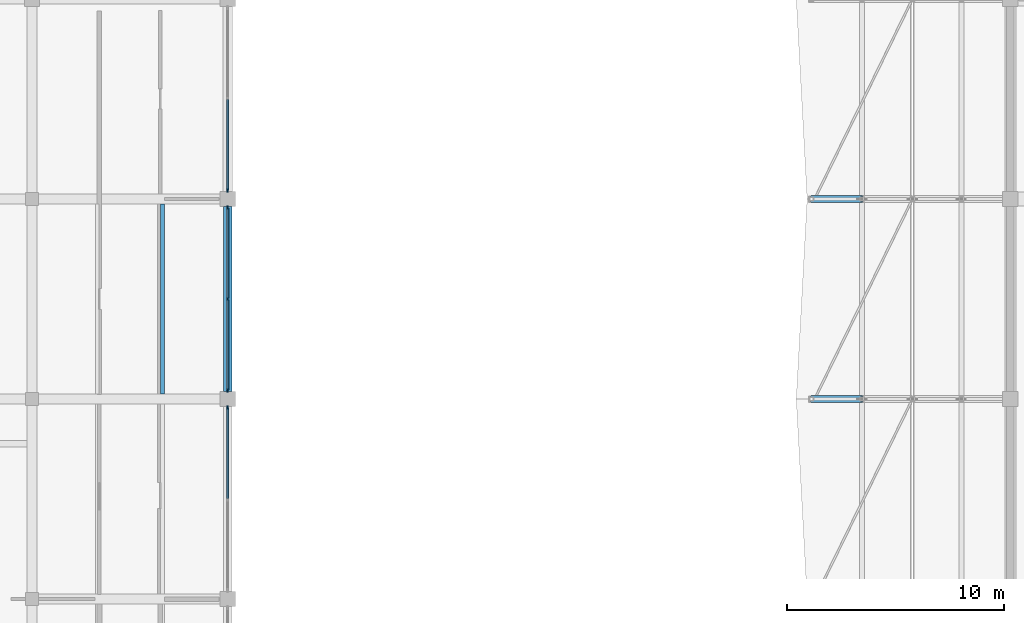
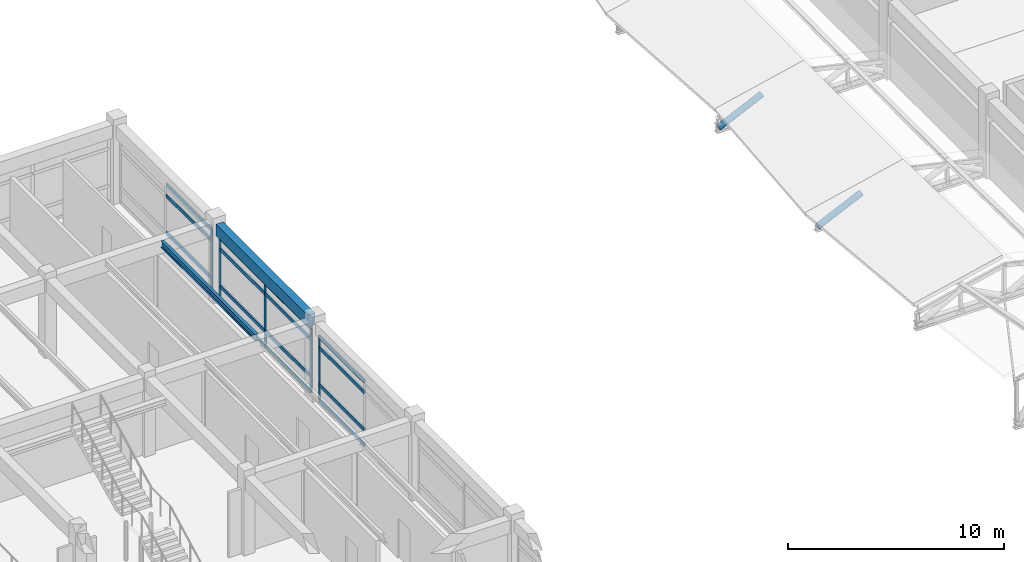
# One storey, part 37 of 90: 23 members, 2 beams, 3 elements without a shape of their own.
"""IFC4 building model written with IfcOpenShell, lengths in metres."""

from ifc_helpers import new_model, si_unit, direction, frame, origin, origin_2d, place, context, subcontext, project, spatial, rectangle, hollow_circle, i_section, extrude, material, material_profile, profile_set, type_object, element, aggregate, save


model = new_model("IFC4")

# Units and contexts
model_context = context("Model", 3, precision=1e-05, world=origin(), true_north=direction((0.0, 1.0)))
body_context = subcontext(model_context, "Body", "Model", "MODEL_VIEW")
ifc_project = project(units=[si_unit("LENGTHUNIT", "METRE"), si_unit("AREAUNIT", "SQUARE_METRE"), si_unit("VOLUMEUNIT", "CUBIC_METRE"), si_unit("PLANEANGLEUNIT", "RADIAN"), si_unit("MASSUNIT", "GRAM", prefix="KILO")], contexts=[model_context])

# Site, building, storey
site_placement = place(None, origin())
site = spatial("IfcSite", under=ifc_project, at=site_placement, CompositionType="ELEMENT")
building_placement = place(site_placement, origin())
building = spatial("IfcBuilding", under=site, at=building_placement, Name="Bozkorgan Art Gallery", CompositionType="ELEMENT")
storey_placement = place(building_placement, frame((0.0, 0.0, 5.39990234375)))
storey = spatial("IfcBuildingStorey", under=building, at=storey_placement, Name="L01", CompositionType="ELEMENT", Elevation=5.39990234375)

# Beams
ifc_material_1 = material(Name="Steel S355J2", Category="steel")
ifc_material_profile_1 = material_profile(ifc_material_1, i_section(OverallWidth=0.169921875, OverallDepth=0.360107421875, WebThickness=0.008056640625, FlangeThickness=0.0126953125, FilletRadius=0.01806640625, at=origin_2d()), Name="IPE 360")
ifc_profile_set_1 = profile_set([ifc_material_profile_1], Name="Steel S355J2")
beam_type_1 = type_object("IfcBeamType", Name="BEAM-JS-98", PredefinedType="JOIST", material=ifc_profile_set_1)
beam_1_placement = place(storey_placement, frame((98.0, 84.625, 4.260009765625), z_axis=(0.0, 1.0, 0.0), x_axis=(-1.0, 0.0, 0.0)))
element("IfcBeam", 1, at=beam_1_placement, inside=storey, type_object=beam_type_1, Name="V4 L01 secondary joist (92-101, 84.4-93.6) #2", PredefinedType="JOIST", context=body_context, shape_type="SweptSolid", body=[
    extrude(i_section(OverallWidth=0.169921875, OverallDepth=0.360107421875, WebThickness=0.008056640625, FlangeThickness=0.0126953125, FilletRadius=0.01806640625, at=origin_2d()), origin(), (0.0, 0.0, 1.0), 8.75),
])
ifc_material_2 = material(Name="Concrete C35/45", Category="concrete")
ifc_material_profile_2 = material_profile(ifc_material_2, rectangle(XDim=0.39990234375, YDim=0.64990234375, at=origin_2d()), Name="RC 400x650")
ifc_profile_set_2 = profile_set([ifc_material_profile_2], Name="Concrete C35/45")
beam_type_2 = type_object("IfcBeamType", Name="BEAM-SP-69", PredefinedType="SPANDREL", material=ifc_profile_set_2)
beam_2_placement = place(storey_placement, frame((101.0, 84.75, 4.114990234375), z_axis=(0.0, 1.0, 0.0), x_axis=(-1.0, 0.0, 0.0)))
element("IfcBeam", 2, at=beam_2_placement, inside=storey, type_object=beam_type_2, Name="V4 L01 spandrel Y (101, 84.4-93.6)", PredefinedType="SPANDREL", context=body_context, shape_type="SweptSolid", body=[
    extrude(rectangle(XDim=0.39990234375, YDim=0.64990234375, at=origin_2d()), origin(), (0.0, 0.0, 1.0), 8.5),
])

# Curtain wall, member
ifc_material_3 = material(Name="Anodised Bronze Aluminium", Category="aluminium")
curtain_wall_type = type_object("IfcCurtainWallType", Name="CW-CW-16", PredefinedType="NOTDEFINED", material=ifc_material_3)
curtain_wall_1_placement = place(storey_placement, origin())
curtain_wall_1 = element("IfcCurtainWall", 3, at=curtain_wall_1_placement, inside=storey, type_object=curtain_wall_type, Name="L01 unitised curtain wall CW-V4-L01-1E-16", PredefinedType="NOTDEFINED")
ifc_material_profile_3 = material_profile(ifc_material_3, rectangle(XDim=0.06494140625, YDim=0.179931640625, at=origin_2d()), Name="ALU MULLION 65x180")
ifc_profile_set_3 = profile_set([ifc_material_profile_3], Name="Anodised Bronze Aluminium")
member_type_1 = type_object("IfcMemberType", Name="CWM-01", PredefinedType="MULLION", material=ifc_profile_set_3)
member_1_placement = place(storey_placement, frame((101.0, 84.00244140625, 0.02001953125), z_axis=(0.0, 0.0, 1.0), x_axis=(-1.0, 0.0, 0.0)))
member_1 = element("IfcMember", 4, at=member_1_placement, type_object=member_type_1, Name="CW-16 mullion 3", PredefinedType="MULLION", context=body_context, shape_type="SweptSolid", body=[
    extrude(rectangle(XDim=0.06494140625, YDim=0.179931640625, at=origin_2d()), origin(), (0.0, 0.0, 1.0), 3.655029296875),
])

# Curtain wall, members
curtain_wall_2_placement = place(storey_placement, origin())
curtain_wall_2 = element("IfcCurtainWall", 5, at=curtain_wall_2_placement, inside=storey, type_object=curtain_wall_type, Name="L01 unitised curtain wall CW-V4-L01-1E-18", PredefinedType="NOTDEFINED")
member_2_placement = place(storey_placement, frame((101.0, 84.797607421875, 0.02001953125), z_axis=(0.0, 0.0, 1.0), x_axis=(-1.0, 0.0, 0.0)))
member_2 = element("IfcMember", 6, at=member_2_placement, type_object=member_type_1, Name="CW-16 mullion 1", PredefinedType="MULLION", context=body_context, shape_type="SweptSolid", body=[
    extrude(rectangle(XDim=0.06494140625, YDim=0.179931640625, at=origin_2d()), origin(), (0.0, 0.0, 1.0), 3.655029296875),
])
member_3_placement = place(storey_placement, frame((101.0, 89.0, 0.02001953125), z_axis=(0.0, 0.0, 1.0), x_axis=(-1.0, 0.0, 0.0)))
member_3 = element("IfcMember", 7, at=member_3_placement, type_object=member_type_1, Name="CW-16 mullion 2", PredefinedType="MULLION", context=body_context, shape_type="SweptSolid", body=[
    extrude(rectangle(XDim=0.06494140625, YDim=0.179931640625, at=origin_2d()), origin(), (0.0, 0.0, 1.0), 3.655029296875),
])
member_4_placement = place(storey_placement, frame((101.0, 93.202392578125, 0.02001953125), z_axis=(0.0, 0.0, 1.0), x_axis=(-1.0, 0.0, 0.0)))
member_4 = element("IfcMember", 8, at=member_4_placement, type_object=member_type_1, Name="CW-16 mullion 3", PredefinedType="MULLION", context=body_context, shape_type="SweptSolid", body=[
    extrude(rectangle(XDim=0.06494140625, YDim=0.179931640625, at=origin_2d()), origin(), (0.0, 0.0, 1.0), 3.655029296875),
])

# Curtain wall, member
curtain_wall_3_placement = place(storey_placement, origin())
curtain_wall_3 = element("IfcCurtainWall", 9, at=curtain_wall_3_placement, inside=storey, type_object=curtain_wall_type, Name="L01 unitised curtain wall CW-V4-L01-1E-20", PredefinedType="NOTDEFINED")
member_5_placement = place(storey_placement, frame((101.0, 93.99755859375, 0.02001953125), z_axis=(0.0, 0.0, 1.0), x_axis=(-1.0, 0.0, 0.0)))
member_5 = element("IfcMember", 10, at=member_5_placement, type_object=member_type_1, Name="CW-16 mullion 1", PredefinedType="MULLION", context=body_context, shape_type="SweptSolid", body=[
    extrude(rectangle(XDim=0.06494140625, YDim=0.179931640625, at=origin_2d()), origin(), (0.0, 0.0, 1.0), 3.655029296875),
])

# Member
ifc_material_profile_4 = material_profile(ifc_material_3, rectangle(XDim=0.080078125, YDim=0.199951171875, at=origin_2d()), Name="ALU TRANSOM 80x200")
ifc_profile_set_4 = profile_set([ifc_material_profile_4], Name="Anodised Bronze Aluminium")
member_type_2 = type_object("IfcMemberType", Name="CWT-03", PredefinedType="USERDEFINED", material=ifc_profile_set_4)
member_6_placement = place(storey_placement, frame((101.0, 79.83251953125, 0.06005859375), z_axis=(0.0, 1.0, 0.0), x_axis=(-1.0, 0.0, 0.0)))
member_6 = element("IfcMember", 11, at=member_6_placement, type_object=member_type_2, Name="CW-16 transom 2.1", ObjectType="TRANSOM", PredefinedType="USERDEFINED", context=body_context, shape_type="SweptSolid", body=[
    extrude(rectangle(XDim=0.080078125, YDim=0.199951171875, at=origin_2d()), origin(), (0.0, 0.0, 1.0), 4.137451171875),
])

member_7_placement = place(storey_placement, frame((101.0, 79.83251953125, 0.920166015625), z_axis=(0.0, 1.0, 0.0), x_axis=(-1.0, 0.0, 0.0)))
member_7 = element("IfcMember", 12, at=member_7_placement, type_object=member_type_2, Name="CW-16 transom 2.2", ObjectType="TRANSOM", PredefinedType="USERDEFINED", context=body_context, shape_type="SweptSolid", body=[
    extrude(rectangle(XDim=0.080078125, YDim=0.199951171875, at=origin_2d()), origin(), (0.0, 0.0, 1.0), 4.137451171875),
])

member_8_placement = place(storey_placement, frame((101.0, 79.83251953125, 3.025146484375), z_axis=(0.0, 1.0, 0.0), x_axis=(-1.0, 0.0, 0.0)))
member_8 = element("IfcMember", 13, at=member_8_placement, type_object=member_type_2, Name="CW-16 transom 2.3", ObjectType="TRANSOM", PredefinedType="USERDEFINED", context=body_context, shape_type="SweptSolid", body=[
    extrude(rectangle(XDim=0.080078125, YDim=0.199951171875, at=origin_2d()), origin(), (0.0, 0.0, 1.0), 4.137451171875),
])

member_9_placement = place(storey_placement, frame((101.0, 79.83251953125, 3.635009765625), z_axis=(0.0, 1.0, 0.0), x_axis=(-1.0, 0.0, 0.0)))
member_9 = element("IfcMember", 14, at=member_9_placement, type_object=member_type_2, Name="CW-16 transom 2.4", ObjectType="TRANSOM", PredefinedType="USERDEFINED", context=body_context, shape_type="SweptSolid", body=[
    extrude(rectangle(XDim=0.080078125, YDim=0.199951171875, at=origin_2d()), origin(), (0.0, 0.0, 1.0), 4.137451171875),
])

aggregate(curtain_wall_1, [member_1, member_6, member_7, member_8, member_9])

member_10_placement = place(storey_placement, frame((101.0, 84.830078125, 0.06005859375), z_axis=(0.0, 1.0, 0.0), x_axis=(-1.0, 0.0, 0.0)))
member_10 = element("IfcMember", 15, at=member_10_placement, type_object=member_type_2, Name="CW-16 transom 1.1", ObjectType="TRANSOM", PredefinedType="USERDEFINED", context=body_context, shape_type="SweptSolid", body=[
    extrude(rectangle(XDim=0.080078125, YDim=0.199951171875, at=origin_2d()), origin(), (0.0, 0.0, 1.0), 4.137451171875),
])

member_11_placement = place(storey_placement, frame((101.0, 84.830078125, 0.920166015625), z_axis=(0.0, 1.0, 0.0), x_axis=(-1.0, 0.0, 0.0)))
member_11 = element("IfcMember", 16, at=member_11_placement, type_object=member_type_2, Name="CW-16 transom 1.2", ObjectType="TRANSOM", PredefinedType="USERDEFINED", context=body_context, shape_type="SweptSolid", body=[
    extrude(rectangle(XDim=0.080078125, YDim=0.199951171875, at=origin_2d()), origin(), (0.0, 0.0, 1.0), 4.137451171875),
])

member_12_placement = place(storey_placement, frame((101.0, 84.830078125, 3.025146484375), z_axis=(0.0, 1.0, 0.0), x_axis=(-1.0, 0.0, 0.0)))
member_12 = element("IfcMember", 17, at=member_12_placement, type_object=member_type_2, Name="CW-16 transom 1.3", ObjectType="TRANSOM", PredefinedType="USERDEFINED", context=body_context, shape_type="SweptSolid", body=[
    extrude(rectangle(XDim=0.080078125, YDim=0.199951171875, at=origin_2d()), origin(), (0.0, 0.0, 1.0), 4.137451171875),
])

member_13_placement = place(storey_placement, frame((101.0, 84.830078125, 3.635009765625), z_axis=(0.0, 1.0, 0.0), x_axis=(-1.0, 0.0, 0.0)))
member_13 = element("IfcMember", 18, at=member_13_placement, type_object=member_type_2, Name="CW-16 transom 1.4", ObjectType="TRANSOM", PredefinedType="USERDEFINED", context=body_context, shape_type="SweptSolid", body=[
    extrude(rectangle(XDim=0.080078125, YDim=0.199951171875, at=origin_2d()), origin(), (0.0, 0.0, 1.0), 4.137451171875),
])

member_14_placement = place(storey_placement, frame((101.0, 89.032470703125, 0.06005859375), z_axis=(0.0, 1.0, 0.0), x_axis=(-1.0, 0.0, 0.0)))
member_14 = element("IfcMember", 19, at=member_14_placement, type_object=member_type_2, Name="CW-16 transom 2.1", ObjectType="TRANSOM", PredefinedType="USERDEFINED", context=body_context, shape_type="SweptSolid", body=[
    extrude(rectangle(XDim=0.080078125, YDim=0.199951171875, at=origin_2d()), origin(), (0.0, 0.0, 1.0), 4.137451171875),
])

member_15_placement = place(storey_placement, frame((101.0, 89.032470703125, 0.920166015625), z_axis=(0.0, 1.0, 0.0), x_axis=(-1.0, 0.0, 0.0)))
member_15 = element("IfcMember", 20, at=member_15_placement, type_object=member_type_2, Name="CW-16 transom 2.2", ObjectType="TRANSOM", PredefinedType="USERDEFINED", context=body_context, shape_type="SweptSolid", body=[
    extrude(rectangle(XDim=0.080078125, YDim=0.199951171875, at=origin_2d()), origin(), (0.0, 0.0, 1.0), 4.137451171875),
])

member_16_placement = place(storey_placement, frame((101.0, 89.032470703125, 3.025146484375), z_axis=(0.0, 1.0, 0.0), x_axis=(-1.0, 0.0, 0.0)))
member_16 = element("IfcMember", 21, at=member_16_placement, type_object=member_type_2, Name="CW-16 transom 2.3", ObjectType="TRANSOM", PredefinedType="USERDEFINED", context=body_context, shape_type="SweptSolid", body=[
    extrude(rectangle(XDim=0.080078125, YDim=0.199951171875, at=origin_2d()), origin(), (0.0, 0.0, 1.0), 4.137451171875),
])

member_17_placement = place(storey_placement, frame((101.0, 89.032470703125, 3.635009765625), z_axis=(0.0, 1.0, 0.0), x_axis=(-1.0, 0.0, 0.0)))
member_17 = element("IfcMember", 22, at=member_17_placement, type_object=member_type_2, Name="CW-16 transom 2.4", ObjectType="TRANSOM", PredefinedType="USERDEFINED", context=body_context, shape_type="SweptSolid", body=[
    extrude(rectangle(XDim=0.080078125, YDim=0.199951171875, at=origin_2d()), origin(), (0.0, 0.0, 1.0), 4.137451171875),
])

aggregate(curtain_wall_2, [member_2, member_3, member_4, member_10, member_11, member_12, member_13, member_14, member_15, member_16, member_17])

member_18_placement = place(storey_placement, frame((101.0, 94.030029296875, 0.06005859375), z_axis=(0.0, 1.0, 0.0), x_axis=(-1.0, 0.0, 0.0)))
member_18 = element("IfcMember", 23, at=member_18_placement, type_object=member_type_2, Name="CW-16 transom 1.1", ObjectType="TRANSOM", PredefinedType="USERDEFINED", context=body_context, shape_type="SweptSolid", body=[
    extrude(rectangle(XDim=0.080078125, YDim=0.199951171875, at=origin_2d()), origin(), (0.0, 0.0, 1.0), 4.137451171875),
])

member_19_placement = place(storey_placement, frame((101.0, 94.030029296875, 0.920166015625), z_axis=(0.0, 1.0, 0.0), x_axis=(-1.0, 0.0, 0.0)))
member_19 = element("IfcMember", 24, at=member_19_placement, type_object=member_type_2, Name="CW-16 transom 1.2", ObjectType="TRANSOM", PredefinedType="USERDEFINED", context=body_context, shape_type="SweptSolid", body=[
    extrude(rectangle(XDim=0.080078125, YDim=0.199951171875, at=origin_2d()), origin(), (0.0, 0.0, 1.0), 4.137451171875),
])

member_20_placement = place(storey_placement, frame((101.0, 94.030029296875, 3.025146484375), z_axis=(0.0, 1.0, 0.0), x_axis=(-1.0, 0.0, 0.0)))
member_20 = element("IfcMember", 25, at=member_20_placement, type_object=member_type_2, Name="CW-16 transom 1.3", ObjectType="TRANSOM", PredefinedType="USERDEFINED", context=body_context, shape_type="SweptSolid", body=[
    extrude(rectangle(XDim=0.080078125, YDim=0.199951171875, at=origin_2d()), origin(), (0.0, 0.0, 1.0), 4.137451171875),
])

member_21_placement = place(storey_placement, frame((101.0, 94.030029296875, 3.635009765625), z_axis=(0.0, 1.0, 0.0), x_axis=(-1.0, 0.0, 0.0)))
member_21 = element("IfcMember", 26, at=member_21_placement, type_object=member_type_2, Name="CW-16 transom 1.4", ObjectType="TRANSOM", PredefinedType="USERDEFINED", context=body_context, shape_type="SweptSolid", body=[
    extrude(rectangle(XDim=0.080078125, YDim=0.199951171875, at=origin_2d()), origin(), (0.0, 0.0, 1.0), 4.137451171875),
])

aggregate(curtain_wall_3, [member_5, member_18, member_19, member_20, member_21])

# Members
ifc_material_profile_5 = material_profile(ifc_material_1, hollow_circle(Radius=0.161865234375, WallThickness=0.012451171875, at=origin_2d()), Name="CHS 323.9x12.5")
ifc_profile_set_5 = profile_set([ifc_material_profile_5], Name="Steel S355J2")
member_type_3 = type_object("IfcMemberType", Name="MEMBER-TW-97", PredefinedType="BRACE", material=ifc_profile_set_5)
for number, where, z_axis, x_axis, name in (
    (27, (127.85009765625, 84.39990234375, 0.22509765625), (0.906003197804, 0.0, 0.42327084186), (0.0, 1.0, 0.0), "ROOF-V5-DOCK roof truss 3 diagonal 1"),
    (28, (127.85009765625, 93.60009765625, 0.22509765625), (0.906003197804, 0.0, 0.42327084186), (0.0, 1.0, 0.0), "ROOF-V5-DOCK roof truss 4 diagonal 1"),
):
    element("IfcMember", number, at=place(storey_placement, frame(where, z_axis=z_axis, x_axis=x_axis)), inside=storey, type_object=member_type_3, Name=name, PredefinedType="BRACE", context=body_context, shape_type="SweptSolid", body=[
        extrude(hollow_circle(Radius=0.161865234375, WallThickness=0.012451171875, at=origin_2d()), origin(), (0.0, 0.0, 1.0), 2.566162109375),
    ])

save(model, "model.ifc")
